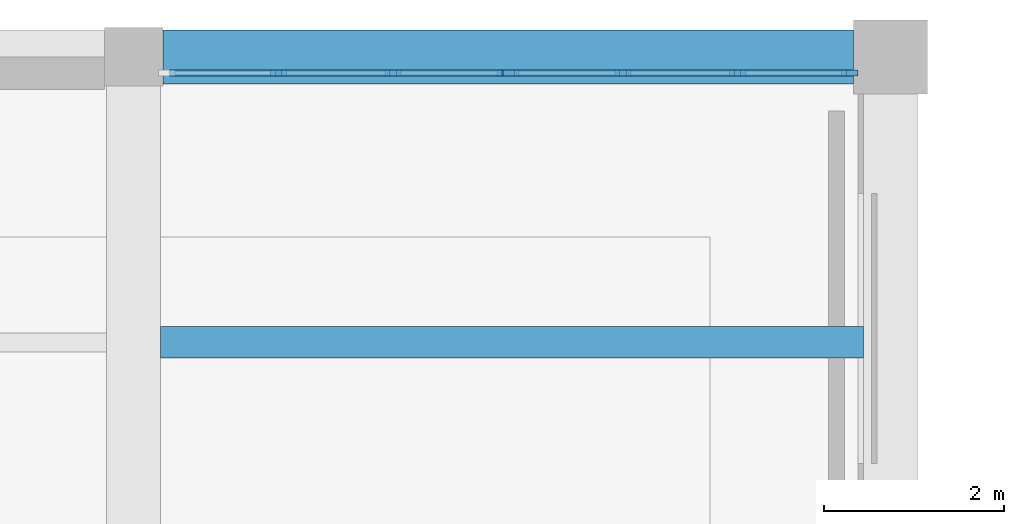
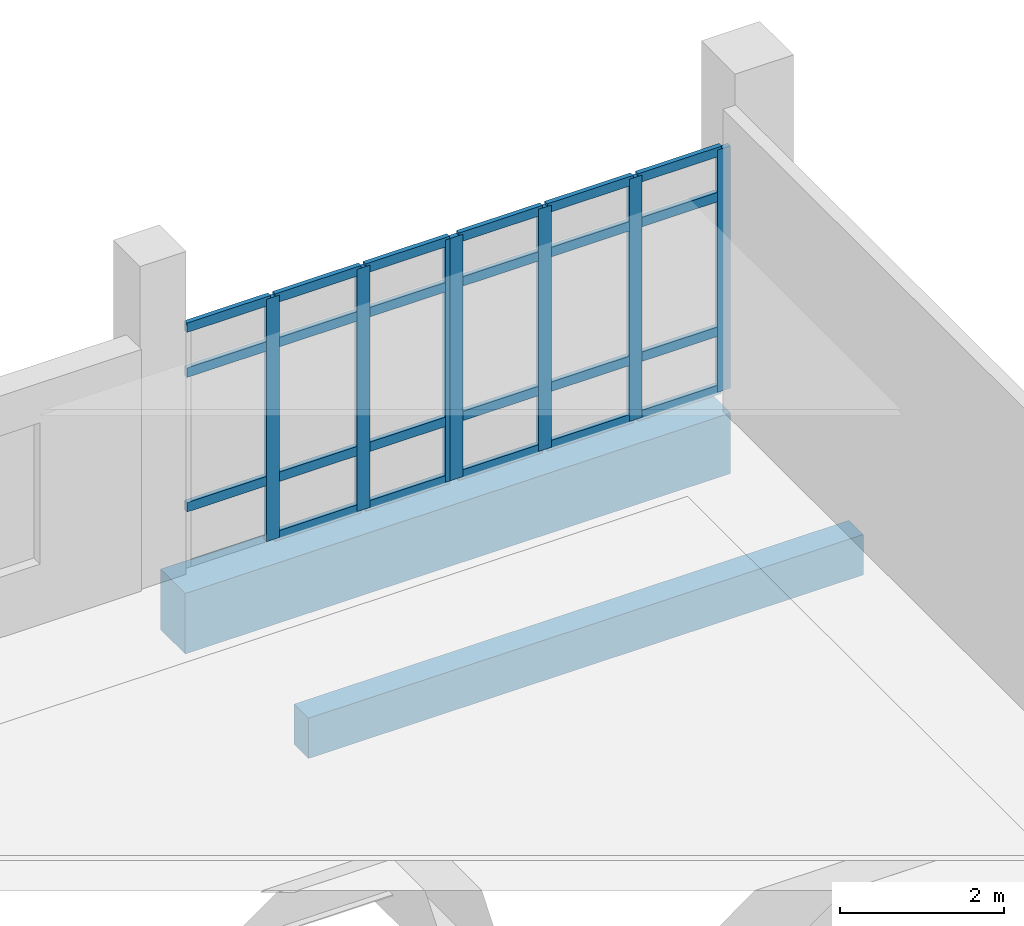
# One storey, part 24 of 73: 30 members, 2 beams, 2 elements without a shape of their own.
"""IFC4 building model written with IfcOpenShell, lengths in metres."""

import ifcopenshell
import ifcopenshell.guid

model = None  # the IFC model being written
_history = None  # IfcOwnerHistory: only IFC2X3 demands one
_inside = {}  # id of a spatial element -> (the spatial element, [elements in it])
_under = {}  # id of a project, library or spatial element -> (it, [spatial elements below it])
_declared = {}  # id of a project -> (the project, [libraries it declares])
_typed = {}  # id of a type object -> (the type object, [elements of that type])
_made_of = {}  # id of a material, layer set ... -> (it, [elements and type objects made of it])


def new_model(schema):
    """Start an empty IFC model of exactly this schema.

    Asked for "IFC4X3", IfcOpenShell would pick the latest addendum, in which some entities
    have other attributes; the version numbers below select the first issue.
    IFC2X3 requires an IfcOwnerHistory on every rooted entity: one is made here for all.
    """
    global model, _history
    if schema == "IFC4X3":
        model = ifcopenshell.file(schema_version=(4, 3, 0, 0))
    else:
        model = ifcopenshell.file(schema=schema)
    _inside.clear()
    _under.clear()
    _declared.clear()
    _typed.clear()
    _made_of.clear()
    _history = None
    if model.schema == "IFC2X3":
        org = make("IfcOrganization", Name="unknown")
        user = make(
            "IfcPersonAndOrganization",
            ThePerson=make("IfcPerson", FamilyName="unknown"),
            TheOrganization=org,
        )
        app = make(
            "IfcApplication",
            ApplicationDeveloper=org,
            Version="unknown",
            ApplicationFullName="unknown",
            ApplicationIdentifier="unknown",
        )
        _history = make(
            "IfcOwnerHistory",
            OwningUser=user,
            OwningApplication=app,
            ChangeAction="ADDED",
            CreationDate=0,
        )
    return model


def make(cls, **values):
    """One entity of the class cls with the attributes given. An attribute that is None is left unset."""
    return model.create_entity(
        cls, **{name: value for name, value in values.items() if value is not None}
    )


def rooted(cls, **values):
    """An entity with a GlobalId (a new one), such as an element, a storey or a relation."""
    return make(cls, GlobalId=ifcopenshell.guid.new(), OwnerHistory=_history, **values)


def si_unit(unit_type, name, prefix=None):
    """IfcSIUnit, for example si_unit("LENGTHUNIT", "METRE", prefix="MILLI")."""
    return make("IfcSIUnit", UnitType=unit_type, Prefix=prefix, Name=name)


def assignment(units):
    """IfcUnitAssignment: the units of a project."""
    return None if units is None else make("IfcUnitAssignment", Units=units)


def point(xyz):
    """IfcCartesianPoint."""
    return None if xyz is None else make("IfcCartesianPoint", Coordinates=xyz)


def direction(xyz):
    """IfcDirection."""
    return None if xyz is None else make("IfcDirection", DirectionRatios=xyz)


def frame(location, z_axis=None, x_axis=None):
    """IfcAxis2Placement3D, a coordinate frame: its origin and axes. An axis left out is left unset."""
    return make(
        "IfcAxis2Placement3D",
        Location=point(location),
        Axis=direction(z_axis),
        RefDirection=direction(x_axis),
    )


def frame_2d(location, x_axis=None):
    """IfcAxis2Placement2D, a coordinate frame in the plane: its origin and x axis."""
    return make(
        "IfcAxis2Placement2D", Location=point(location), RefDirection=direction(x_axis)
    )


def origin():
    """The frame at (0, 0, 0) with its axes left unset."""
    return frame((0.0, 0.0, 0.0))


def origin_2d():
    """The frame at (0, 0) in the plane with its x axis left unset."""
    return frame_2d((0.0, 0.0))


def place(relative_to, where):
    """IfcLocalPlacement: puts the frame where relative to a parent placement (None: the world)."""
    return make(
        "IfcLocalPlacement", PlacementRelTo=relative_to, RelativePlacement=where
    )


def context(
    kind, dimensions, precision=None, world=None, true_north=None, identifier=None
):
    """IfcGeometricRepresentationContext, for example the 3D "Model" context."""
    return make(
        "IfcGeometricRepresentationContext",
        ContextIdentifier=identifier,
        ContextType=kind,
        CoordinateSpaceDimension=dimensions,
        Precision=precision,
        WorldCoordinateSystem=world,
        TrueNorth=true_north,
    )


def subcontext(parent, identifier, kind, view, scale=None):
    """IfcGeometricRepresentationSubContext, for example "Body" below "Model"."""
    return make(
        "IfcGeometricRepresentationSubContext",
        ContextIdentifier=identifier,
        ContextType=kind,
        ParentContext=parent,
        TargetScale=scale,
        TargetView=view,
    )


def project(units=None, contexts=None):
    """IfcProject with its units and contexts."""
    return rooted(
        "IfcProject",
        Name="project",
        RepresentationContexts=contexts,
        UnitsInContext=assignment(units),
    )


def spatial(cls, under=None, at=None, **own):
    """A site, building, storey or space (cls), placed at a placement, below another one or the project."""
    s = rooted(cls, ObjectPlacement=at, **own)
    if under is not None:
        _under.setdefault(under.id(), (under, []))[1].append(s)
    return s


def profile(cls, at=None, kind="AREA", **sizes):
    """A parametric profile (cls). Its sizes go by their IFC names, for example OverallWidth=200.0."""
    return make(cls, ProfileType=kind, Position=at, **sizes)


def rectangle(**sizes):
    """IfcRectangleProfileDef."""
    return profile("IfcRectangleProfileDef", **sizes)


def extrude(swept, where, along, depth):
    """IfcExtrudedAreaSolid: the profile swept, set in the frame where, extruded along a direction by depth."""
    return make(
        "IfcExtrudedAreaSolid",
        SweptArea=swept,
        Position=where,
        ExtrudedDirection=direction(along),
        Depth=depth,
    )


def shape(context_of_items, identifier, shape_type, items):
    """IfcShapeRepresentation: the items that make up one representation, for example the "Body"."""
    return make(
        "IfcShapeRepresentation",
        ContextOfItems=context_of_items,
        RepresentationIdentifier=identifier,
        RepresentationType=shape_type,
        Items=items,
    )


def material(Name=None, Category=None):
    """IfcMaterial."""
    return make("IfcMaterial", Name=Name, Category=Category)


def layer(
    of_material, thickness, ventilated=None, Name=None, Category=None, Priority=None
):
    """IfcMaterialLayer: one layer of a wall or slab, of a material (None: an air gap)."""
    return make(
        "IfcMaterialLayer",
        Material=of_material,
        LayerThickness=thickness,
        IsVentilated=ventilated,
        Name=Name,
        Category=Category,
        Priority=Priority,
    )


def layer_set(layers, Name=None):
    """IfcMaterialLayerSet."""
    return make("IfcMaterialLayerSet", MaterialLayers=layers, LayerSetName=Name)


def material_profile(
    of_material, cross_section, Name=None, Category=None, Priority=None
):
    """IfcMaterialProfile: a cross section and its material."""
    return make(
        "IfcMaterialProfile",
        Name=Name,
        Material=of_material,
        Profile=cross_section,
        Priority=Priority,
        Category=Category,
    )


def profile_set(profiles, Name=None, composite=None):
    """IfcMaterialProfileSet."""
    return make(
        "IfcMaterialProfileSet",
        Name=Name,
        MaterialProfiles=profiles,
        CompositeProfile=composite,
    )


def made_of(thing, what):
    """Note that an element or type object is made of a material, layer set ...; save() writes the relation."""
    if what is not None:
        _made_of.setdefault(what.id(), (what, []))[1].append(thing)
    return thing


def type_object(cls, material=None, **own):
    """A type object (cls), such as IfcWallType, which elements share."""
    return made_of(rooted(cls, **own), material)


def element(
    cls,
    number,
    at=None,
    inside=None,
    cuts=None,
    type_object=None,
    material=None,
    context=None,
    identifier="Body",
    shape_type=None,
    held_by="IfcProductDefinitionShape",
    body=None,
    shapes=None,
    **own,
):
    """One element of the class cls, such as IfcWall. Its Tag is "e" and its number.

    at: its placement. inside: the storey or other place that contains it. cuts: it is an
    opening in that element (IfcRelVoidsElement). A single representation is given by context,
    identifier, shape_type and body (its items); several are given by shapes. held_by: the class
    of the entity that holds the representations. save() writes the other relations.
    """
    e = rooted(cls, Tag="e%d" % number, ObjectPlacement=at, **own)
    if body is not None:
        shapes = [shape(context, identifier, shape_type, body)]
    if shapes is not None:
        e.Representation = make(held_by, Representations=shapes)
    if inside is not None:
        _inside.setdefault(inside.id(), (inside, []))[1].append(e)
    if cuts is not None:
        rooted(
            "IfcRelVoidsElement", RelatingBuildingElement=cuts, RelatedOpeningElement=e
        )
    if type_object is not None:
        _typed.setdefault(type_object.id(), (type_object, []))[1].append(e)
    return made_of(e, material)


def aggregate(whole, parts):
    """IfcRelAggregates: a whole, such as a stair, and the parts it consists of."""
    return rooted("IfcRelAggregates", RelatingObject=whole, RelatedObjects=parts)


def save(model, path):
    """Write the relations noted so far, then the file.

    IfcRelAggregates (storeys below a building ...), IfcRelContainedInSpatialStructure (elements
    in a storey), IfcRelDefinesByType, IfcRelAssociatesMaterial and IfcRelDeclares: one each for
    every whole, place, type object, material and project.
    """
    for whole, parts in _under.values():
        aggregate(whole, parts)
    for where, things in _inside.values():
        rooted(
            "IfcRelContainedInSpatialStructure",
            RelatedElements=things,
            RelatingStructure=where,
        )
    for kind, things in _typed.values():
        rooted("IfcRelDefinesByType", RelatedObjects=things, RelatingType=kind)
    for what, things in _made_of.values():
        rooted("IfcRelAssociatesMaterial", RelatedObjects=things, RelatingMaterial=what)
    for by, libraries in _declared.values():
        rooted("IfcRelDeclares", RelatingContext=by, RelatedDefinitions=libraries)
    model.write(path)


model = new_model("IFC4")

# Units and contexts
model_context = context("Model", 3, precision=1e-05, world=origin(), true_north=direction((0.0, 1.0)))
body_context = subcontext(model_context, "Body", "Model", "MODEL_VIEW")
ifc_project = project(units=[si_unit("LENGTHUNIT", "METRE"), si_unit("AREAUNIT", "SQUARE_METRE"), si_unit("VOLUMEUNIT", "CUBIC_METRE"), si_unit("PLANEANGLEUNIT", "RADIAN"), si_unit("MASSUNIT", "GRAM", prefix="KILO")], contexts=[model_context])

# Site, building, storey
site_placement = place(None, origin())
site = spatial("IfcSite", under=ifc_project, at=site_placement, CompositionType="ELEMENT")
building_placement = place(site_placement, origin())
building = spatial("IfcBuilding", under=site, at=building_placement, Name="Kelarvand Opera House", CompositionType="ELEMENT")
storey_placement = place(building_placement, frame((0.0, 0.0, 10.199951171875)))
storey = spatial("IfcBuildingStorey", under=building, at=storey_placement, Name="L02", CompositionType="ELEMENT", Elevation=10.199951171875)

# Curtain wall, members
ifc_material_1 = material(Name="Thermally broken aluminium and low-E glazing", Category="aluminium")
ifc_layer = layer(ifc_material_1, 0.179931640625, Name="Thermally broken aluminium and low-E glazing", Category="aluminium")
ifc_layer_set = layer_set([ifc_layer], Name="Thermally broken aluminium and low-E glazing")
curtain_wall_type = type_object("IfcCurtainWallType", Name="Unitised Low-E Curtain Wall 3818x3600 Mod 1350 CWF-18", PredefinedType="USERDEFINED", material=ifc_layer_set)
curtain_wall_1_placement = place(storey_placement, origin())
curtain_wall_1 = element("IfcCurtainWall", 1, at=curtain_wall_1_placement, inside=storey, type_object=curtain_wall_type, Name="V3 L02 Curtain Wall CWF-18 (75)", ObjectType="UNITISED CURTAIN WALL", PredefinedType="USERDEFINED")
ifc_material_2 = material(Name="Thermally broken anodised aluminium", Category="aluminium")
ifc_material_profile_1 = material_profile(ifc_material_2, rectangle(XDim=0.06494140625, YDim=0.179931640625, at=origin_2d()), Name="ALU MULLION 65x180", Category="aluminium")
ifc_profile_set_1 = profile_set([ifc_material_profile_1], Name="Thermally broken anodised aluminium")
member_type_1 = type_object("IfcMemberType", Name="Curtain Wall Mullion 65x180 Aluminium", PredefinedType="MULLION", material=ifc_profile_set_1)
member_1_placement = place(storey_placement, frame((44.207763671875, 124.820068359375, 0.0), z_axis=(0.0, 0.0, 1.0), x_axis=(0.0, 1.0, 0.0)))
member_1 = element("IfcMember", 2, at=member_1_placement, type_object=member_type_1, Name="CWF-18 mullion 2", PredefinedType="MULLION", context=body_context, shape_type="SweptSolid", body=[
    extrude(rectangle(XDim=0.06494140625, YDim=0.179931640625, at=origin_2d()), origin(), (0.0, 0.0, 1.0), 3.60009765625),
])
member_2_placement = place(storey_placement, frame((45.480712890625, 124.820068359375, 0.0), z_axis=(0.0, 0.0, 1.0), x_axis=(0.0, 1.0, 0.0)))
member_2 = element("IfcMember", 3, at=member_2_placement, type_object=member_type_1, Name="CWF-18 mullion 3", PredefinedType="MULLION", context=body_context, shape_type="SweptSolid", body=[
    extrude(rectangle(XDim=0.06494140625, YDim=0.179931640625, at=origin_2d()), origin(), (0.0, 0.0, 1.0), 3.60009765625),
])
member_3_placement = place(storey_placement, frame((46.720947265625, 124.820068359375, 0.0), z_axis=(0.0, 0.0, 1.0), x_axis=(0.0, 1.0, 0.0)))
member_3 = element("IfcMember", 4, at=member_3_placement, type_object=member_type_1, Name="CWF-18 mullion 4", PredefinedType="MULLION", context=body_context, shape_type="SweptSolid", body=[
    extrude(rectangle(XDim=0.06494140625, YDim=0.179931640625, at=origin_2d()), origin(), (0.0, 0.0, 1.0), 3.60009765625),
])

curtain_wall_2_placement = place(storey_placement, origin())
curtain_wall_2 = element("IfcCurtainWall", 5, at=curtain_wall_2_placement, inside=storey, type_object=curtain_wall_type, Name="V3 L02 Curtain Wall CWF-18 (76)", ObjectType="UNITISED CURTAIN WALL", PredefinedType="USERDEFINED")
member_4_placement = place(storey_placement, frame((46.7900390625, 124.820068359375, 0.0), z_axis=(0.0, 0.0, 1.0), x_axis=(0.0, 1.0, 0.0)))
member_4 = element("IfcMember", 6, at=member_4_placement, type_object=member_type_1, Name="CWF-18 mullion 1", PredefinedType="MULLION", context=body_context, shape_type="SweptSolid", body=[
    extrude(rectangle(XDim=0.06494140625, YDim=0.179931640625, at=origin_2d()), origin(), (0.0, 0.0, 1.0), 3.60009765625),
])
member_5_placement = place(storey_placement, frame((48.03173828125, 124.820068359375, 0.0), z_axis=(0.0, 0.0, 1.0), x_axis=(0.0, 1.0, 0.0)))
member_5 = element("IfcMember", 7, at=member_5_placement, type_object=member_type_1, Name="CWF-18 mullion 2", PredefinedType="MULLION", context=body_context, shape_type="SweptSolid", body=[
    extrude(rectangle(XDim=0.06494140625, YDim=0.179931640625, at=origin_2d()), origin(), (0.0, 0.0, 1.0), 3.60009765625),
])
member_6_placement = place(storey_placement, frame((49.305908203125, 124.820068359375, 0.0), z_axis=(0.0, 0.0, 1.0), x_axis=(0.0, 1.0, 0.0)))
member_6 = element("IfcMember", 8, at=member_6_placement, type_object=member_type_1, Name="CWF-18 mullion 3", PredefinedType="MULLION", context=body_context, shape_type="SweptSolid", body=[
    extrude(rectangle(XDim=0.06494140625, YDim=0.179931640625, at=origin_2d()), origin(), (0.0, 0.0, 1.0), 3.60009765625),
])
member_7_placement = place(storey_placement, frame((50.547607421875, 124.820068359375, 0.0), z_axis=(0.0, 0.0, 1.0), x_axis=(0.0, 1.0, 0.0)))
member_7 = element("IfcMember", 9, at=member_7_placement, type_object=member_type_1, Name="CWF-18 mullion 4", PredefinedType="MULLION", context=body_context, shape_type="SweptSolid", body=[
    extrude(rectangle(XDim=0.06494140625, YDim=0.179931640625, at=origin_2d()), origin(), (0.0, 0.0, 1.0), 3.60009765625),
])

# Member
ifc_material_profile_2 = material_profile(ifc_material_2, rectangle(XDim=0.06494140625, YDim=0.139892578125, at=origin_2d()), Name="ALU TRANSOM 65x140", Category="aluminium")
ifc_profile_set_2 = profile_set([ifc_material_profile_2], Name="Thermally broken anodised aluminium")
member_type_2 = type_object("IfcMemberType", Name="Curtain Wall Transom 65x140 Aluminium", PredefinedType="USERDEFINED", material=ifc_profile_set_2)
member_8_placement = place(storey_placement, frame((43.0, 124.820068359375, 0.900146484375), z_axis=(1.0, 0.0, 0.0), x_axis=(0.0, 1.0, 0.0)))
member_8 = element("IfcMember", 10, at=member_8_placement, type_object=member_type_2, Name="CWF-18 transom 1.2", ObjectType="TRANSOM", PredefinedType="USERDEFINED", context=body_context, shape_type="SweptSolid", body=[
    extrude(rectangle(XDim=0.06494140625, YDim=0.139892578125, at=origin_2d()), origin(), (0.0, 0.0, 1.0), 1.17529296875),
])

member_9_placement = place(storey_placement, frame((43.0, 124.820068359375, 2.900146484375), z_axis=(1.0, 0.0, 0.0), x_axis=(0.0, 1.0, 0.0)))
member_9 = element("IfcMember", 11, at=member_9_placement, type_object=member_type_2, Name="CWF-18 transom 1.3", ObjectType="TRANSOM", PredefinedType="USERDEFINED", context=body_context, shape_type="SweptSolid", body=[
    extrude(rectangle(XDim=0.06494140625, YDim=0.139892578125, at=origin_2d()), origin(), (0.0, 0.0, 1.0), 1.17529296875),
])

member_10_placement = place(storey_placement, frame((43.0, 124.820068359375, 3.567626953125), z_axis=(1.0, 0.0, 0.0), x_axis=(0.0, 1.0, 0.0)))
member_10 = element("IfcMember", 12, at=member_10_placement, type_object=member_type_2, Name="CWF-18 transom 1.4", ObjectType="TRANSOM", PredefinedType="USERDEFINED", context=body_context, shape_type="SweptSolid", body=[
    extrude(rectangle(XDim=0.06494140625, YDim=0.139892578125, at=origin_2d()), origin(), (0.0, 0.0, 1.0), 1.17529296875),
])

member_11_placement = place(storey_placement, frame((44.240234375, 124.820068359375, 0.032470703125), z_axis=(1.0, 0.0, 0.0), x_axis=(0.0, 1.0, 0.0)))
member_11 = element("IfcMember", 13, at=member_11_placement, type_object=member_type_2, Name="CWF-18 transom 2.1", ObjectType="TRANSOM", PredefinedType="USERDEFINED", context=body_context, shape_type="SweptSolid", body=[
    extrude(rectangle(XDim=0.06494140625, YDim=0.139892578125, at=origin_2d()), origin(), (0.0, 0.0, 1.0), 1.2080078125),
])

member_12_placement = place(storey_placement, frame((44.240234375, 124.820068359375, 0.900146484375), z_axis=(1.0, 0.0, 0.0), x_axis=(0.0, 1.0, 0.0)))
member_12 = element("IfcMember", 14, at=member_12_placement, type_object=member_type_2, Name="CWF-18 transom 2.2", ObjectType="TRANSOM", PredefinedType="USERDEFINED", context=body_context, shape_type="SweptSolid", body=[
    extrude(rectangle(XDim=0.06494140625, YDim=0.139892578125, at=origin_2d()), origin(), (0.0, 0.0, 1.0), 1.2080078125),
])

member_13_placement = place(storey_placement, frame((44.240234375, 124.820068359375, 2.900146484375), z_axis=(1.0, 0.0, 0.0), x_axis=(0.0, 1.0, 0.0)))
member_13 = element("IfcMember", 15, at=member_13_placement, type_object=member_type_2, Name="CWF-18 transom 2.3", ObjectType="TRANSOM", PredefinedType="USERDEFINED", context=body_context, shape_type="SweptSolid", body=[
    extrude(rectangle(XDim=0.06494140625, YDim=0.139892578125, at=origin_2d()), origin(), (0.0, 0.0, 1.0), 1.2080078125),
])

member_14_placement = place(storey_placement, frame((44.240234375, 124.820068359375, 3.567626953125), z_axis=(1.0, 0.0, 0.0), x_axis=(0.0, 1.0, 0.0)))
member_14 = element("IfcMember", 16, at=member_14_placement, type_object=member_type_2, Name="CWF-18 transom 2.4", ObjectType="TRANSOM", PredefinedType="USERDEFINED", context=body_context, shape_type="SweptSolid", body=[
    extrude(rectangle(XDim=0.06494140625, YDim=0.139892578125, at=origin_2d()), origin(), (0.0, 0.0, 1.0), 1.2080078125),
])

member_15_placement = place(storey_placement, frame((45.51318359375, 124.820068359375, 0.032470703125), z_axis=(1.0, 0.0, 0.0), x_axis=(0.0, 1.0, 0.0)))
member_15 = element("IfcMember", 17, at=member_15_placement, type_object=member_type_2, Name="CWF-18 transom 3.1", ObjectType="TRANSOM", PredefinedType="USERDEFINED", context=body_context, shape_type="SweptSolid", body=[
    extrude(rectangle(XDim=0.06494140625, YDim=0.139892578125, at=origin_2d()), origin(), (0.0, 0.0, 1.0), 1.17529296875),
])

member_16_placement = place(storey_placement, frame((45.51318359375, 124.820068359375, 0.900146484375), z_axis=(1.0, 0.0, 0.0), x_axis=(0.0, 1.0, 0.0)))
member_16 = element("IfcMember", 18, at=member_16_placement, type_object=member_type_2, Name="CWF-18 transom 3.2", ObjectType="TRANSOM", PredefinedType="USERDEFINED", context=body_context, shape_type="SweptSolid", body=[
    extrude(rectangle(XDim=0.06494140625, YDim=0.139892578125, at=origin_2d()), origin(), (0.0, 0.0, 1.0), 1.17529296875),
])

member_17_placement = place(storey_placement, frame((45.51318359375, 124.820068359375, 2.900146484375), z_axis=(1.0, 0.0, 0.0), x_axis=(0.0, 1.0, 0.0)))
member_17 = element("IfcMember", 19, at=member_17_placement, type_object=member_type_2, Name="CWF-18 transom 3.3", ObjectType="TRANSOM", PredefinedType="USERDEFINED", context=body_context, shape_type="SweptSolid", body=[
    extrude(rectangle(XDim=0.06494140625, YDim=0.139892578125, at=origin_2d()), origin(), (0.0, 0.0, 1.0), 1.17529296875),
])

member_18_placement = place(storey_placement, frame((45.51318359375, 124.820068359375, 3.567626953125), z_axis=(1.0, 0.0, 0.0), x_axis=(0.0, 1.0, 0.0)))
member_18 = element("IfcMember", 20, at=member_18_placement, type_object=member_type_2, Name="CWF-18 transom 3.4", ObjectType="TRANSOM", PredefinedType="USERDEFINED", context=body_context, shape_type="SweptSolid", body=[
    extrude(rectangle(XDim=0.06494140625, YDim=0.139892578125, at=origin_2d()), origin(), (0.0, 0.0, 1.0), 1.17529296875),
])

aggregate(curtain_wall_1, [member_1, member_2, member_3, member_8, member_9, member_10, member_11, member_12, member_13, member_14, member_15, member_16, member_17, member_18])

member_19_placement = place(storey_placement, frame((46.822509765625, 124.820068359375, 0.032470703125), z_axis=(1.0, 0.0, 0.0), x_axis=(0.0, 1.0, 0.0)))
member_19 = element("IfcMember", 21, at=member_19_placement, type_object=member_type_2, Name="CWF-18 transom 1.1", ObjectType="TRANSOM", PredefinedType="USERDEFINED", context=body_context, shape_type="SweptSolid", body=[
    extrude(rectangle(XDim=0.06494140625, YDim=0.139892578125, at=origin_2d()), origin(), (0.0, 0.0, 1.0), 1.1767578125),
])

member_20_placement = place(storey_placement, frame((46.822509765625, 124.820068359375, 0.900146484375), z_axis=(1.0, 0.0, 0.0), x_axis=(0.0, 1.0, 0.0)))
member_20 = element("IfcMember", 22, at=member_20_placement, type_object=member_type_2, Name="CWF-18 transom 1.2", ObjectType="TRANSOM", PredefinedType="USERDEFINED", context=body_context, shape_type="SweptSolid", body=[
    extrude(rectangle(XDim=0.06494140625, YDim=0.139892578125, at=origin_2d()), origin(), (0.0, 0.0, 1.0), 1.1767578125),
])

member_21_placement = place(storey_placement, frame((46.822509765625, 124.820068359375, 2.900146484375), z_axis=(1.0, 0.0, 0.0), x_axis=(0.0, 1.0, 0.0)))
member_21 = element("IfcMember", 23, at=member_21_placement, type_object=member_type_2, Name="CWF-18 transom 1.3", ObjectType="TRANSOM", PredefinedType="USERDEFINED", context=body_context, shape_type="SweptSolid", body=[
    extrude(rectangle(XDim=0.06494140625, YDim=0.139892578125, at=origin_2d()), origin(), (0.0, 0.0, 1.0), 1.1767578125),
])

member_22_placement = place(storey_placement, frame((46.822509765625, 124.820068359375, 3.567626953125), z_axis=(1.0, 0.0, 0.0), x_axis=(0.0, 1.0, 0.0)))
member_22 = element("IfcMember", 24, at=member_22_placement, type_object=member_type_2, Name="CWF-18 transom 1.4", ObjectType="TRANSOM", PredefinedType="USERDEFINED", context=body_context, shape_type="SweptSolid", body=[
    extrude(rectangle(XDim=0.06494140625, YDim=0.139892578125, at=origin_2d()), origin(), (0.0, 0.0, 1.0), 1.1767578125),
])

member_23_placement = place(storey_placement, frame((48.064208984375, 124.820068359375, 0.032470703125), z_axis=(1.0, 0.0, 0.0), x_axis=(0.0, 1.0, 0.0)))
member_23 = element("IfcMember", 25, at=member_23_placement, type_object=member_type_2, Name="CWF-18 transom 2.1", ObjectType="TRANSOM", PredefinedType="USERDEFINED", context=body_context, shape_type="SweptSolid", body=[
    extrude(rectangle(XDim=0.06494140625, YDim=0.139892578125, at=origin_2d()), origin(), (0.0, 0.0, 1.0), 1.209228515625),
])

member_24_placement = place(storey_placement, frame((48.064208984375, 124.820068359375, 0.900146484375), z_axis=(1.0, 0.0, 0.0), x_axis=(0.0, 1.0, 0.0)))
member_24 = element("IfcMember", 26, at=member_24_placement, type_object=member_type_2, Name="CWF-18 transom 2.2", ObjectType="TRANSOM", PredefinedType="USERDEFINED", context=body_context, shape_type="SweptSolid", body=[
    extrude(rectangle(XDim=0.06494140625, YDim=0.139892578125, at=origin_2d()), origin(), (0.0, 0.0, 1.0), 1.209228515625),
])

member_25_placement = place(storey_placement, frame((48.064208984375, 124.820068359375, 2.900146484375), z_axis=(1.0, 0.0, 0.0), x_axis=(0.0, 1.0, 0.0)))
member_25 = element("IfcMember", 27, at=member_25_placement, type_object=member_type_2, Name="CWF-18 transom 2.3", ObjectType="TRANSOM", PredefinedType="USERDEFINED", context=body_context, shape_type="SweptSolid", body=[
    extrude(rectangle(XDim=0.06494140625, YDim=0.139892578125, at=origin_2d()), origin(), (0.0, 0.0, 1.0), 1.209228515625),
])

member_26_placement = place(storey_placement, frame((48.064208984375, 124.820068359375, 3.567626953125), z_axis=(1.0, 0.0, 0.0), x_axis=(0.0, 1.0, 0.0)))
member_26 = element("IfcMember", 28, at=member_26_placement, type_object=member_type_2, Name="CWF-18 transom 2.4", ObjectType="TRANSOM", PredefinedType="USERDEFINED", context=body_context, shape_type="SweptSolid", body=[
    extrude(rectangle(XDim=0.06494140625, YDim=0.139892578125, at=origin_2d()), origin(), (0.0, 0.0, 1.0), 1.209228515625),
])

member_27_placement = place(storey_placement, frame((49.33837890625, 124.820068359375, 0.032470703125), z_axis=(1.0, 0.0, 0.0), x_axis=(0.0, 1.0, 0.0)))
member_27 = element("IfcMember", 29, at=member_27_placement, type_object=member_type_2, Name="CWF-18 transom 3.1", ObjectType="TRANSOM", PredefinedType="USERDEFINED", context=body_context, shape_type="SweptSolid", body=[
    extrude(rectangle(XDim=0.06494140625, YDim=0.139892578125, at=origin_2d()), origin(), (0.0, 0.0, 1.0), 1.176513671875),
])

member_28_placement = place(storey_placement, frame((49.33837890625, 124.820068359375, 0.900146484375), z_axis=(1.0, 0.0, 0.0), x_axis=(0.0, 1.0, 0.0)))
member_28 = element("IfcMember", 30, at=member_28_placement, type_object=member_type_2, Name="CWF-18 transom 3.2", ObjectType="TRANSOM", PredefinedType="USERDEFINED", context=body_context, shape_type="SweptSolid", body=[
    extrude(rectangle(XDim=0.06494140625, YDim=0.139892578125, at=origin_2d()), origin(), (0.0, 0.0, 1.0), 1.176513671875),
])

member_29_placement = place(storey_placement, frame((49.33837890625, 124.820068359375, 2.900146484375), z_axis=(1.0, 0.0, 0.0), x_axis=(0.0, 1.0, 0.0)))
member_29 = element("IfcMember", 31, at=member_29_placement, type_object=member_type_2, Name="CWF-18 transom 3.3", ObjectType="TRANSOM", PredefinedType="USERDEFINED", context=body_context, shape_type="SweptSolid", body=[
    extrude(rectangle(XDim=0.06494140625, YDim=0.139892578125, at=origin_2d()), origin(), (0.0, 0.0, 1.0), 1.176513671875),
])

member_30_placement = place(storey_placement, frame((49.33837890625, 124.820068359375, 3.567626953125), z_axis=(1.0, 0.0, 0.0), x_axis=(0.0, 1.0, 0.0)))
member_30 = element("IfcMember", 32, at=member_30_placement, type_object=member_type_2, Name="CWF-18 transom 3.4", ObjectType="TRANSOM", PredefinedType="USERDEFINED", context=body_context, shape_type="SweptSolid", body=[
    extrude(rectangle(XDim=0.06494140625, YDim=0.139892578125, at=origin_2d()), origin(), (0.0, 0.0, 1.0), 1.176513671875),
])

aggregate(curtain_wall_2, [member_4, member_5, member_6, member_7, member_19, member_20, member_21, member_22, member_23, member_24, member_25, member_26, member_27, member_28, member_29, member_30])

# Beams
ifc_material_3 = material(Name="Concrete C35/45", Category="concrete")
ifc_material_profile_3 = material_profile(ifc_material_3, rectangle(XDim=0.35009765625, YDim=0.60009765625, at=origin_2d()), Name="RC 350x600", Category="concrete")
ifc_profile_set_3 = profile_set([ifc_material_profile_3], Name="Concrete C35/45")
beam_type_1 = type_object("IfcBeamType", Name="Structural Beam RC 350x600 BM-RC350x600", PredefinedType="BEAM", material=ifc_profile_set_3)
beam_1_placement = place(storey_placement, frame((42.89990234375, 121.833251953125, -0.599853515625), z_axis=(1.0, 0.0, 0.0), x_axis=(0.0, 1.0, 0.0)))
element("IfcBeam", 33, at=beam_1_placement, inside=storey, type_object=beam_type_1, Name="V3 L02 Beam BM-RC350x600", PredefinedType="BEAM", context=body_context, shape_type="SweptSolid", body=[
    extrude(rectangle(XDim=0.35009765625, YDim=0.60009765625, at=origin_2d()), origin(), (0.0, 0.0, 1.0), 7.800048828125),
])
ifc_material_4 = material(Name="Concrete C40/50", Category="concrete")
ifc_material_profile_4 = material_profile(ifc_material_4, rectangle(XDim=0.60009765625, YDim=0.89990234375, at=origin_2d()), Name="RC 600x900", Category="concrete")
ifc_profile_set_4 = profile_set([ifc_material_profile_4], Name="Concrete C40/50")
beam_type_2 = type_object("IfcBeamType", Name="Structural Spandrel RC 600x900 SP-RC600x900E", PredefinedType="SPANDREL", material=ifc_profile_set_4)
beam_2_placement = place(storey_placement, frame((42.925048828125, 125.0, -0.75), z_axis=(1.0, 0.0, 0.0), x_axis=(0.0, 1.0, 0.0)))
element("IfcBeam", 34, at=beam_2_placement, inside=storey, type_object=beam_type_2, Name="V3 L02 Beam SP-RC600x900E", PredefinedType="SPANDREL", context=body_context, shape_type="SweptSolid", body=[
    extrude(rectangle(XDim=0.60009765625, YDim=0.89990234375, at=origin_2d()), origin(), (0.0, 0.0, 1.0), 7.6650390625),
])

save(model, "model.ifc")
